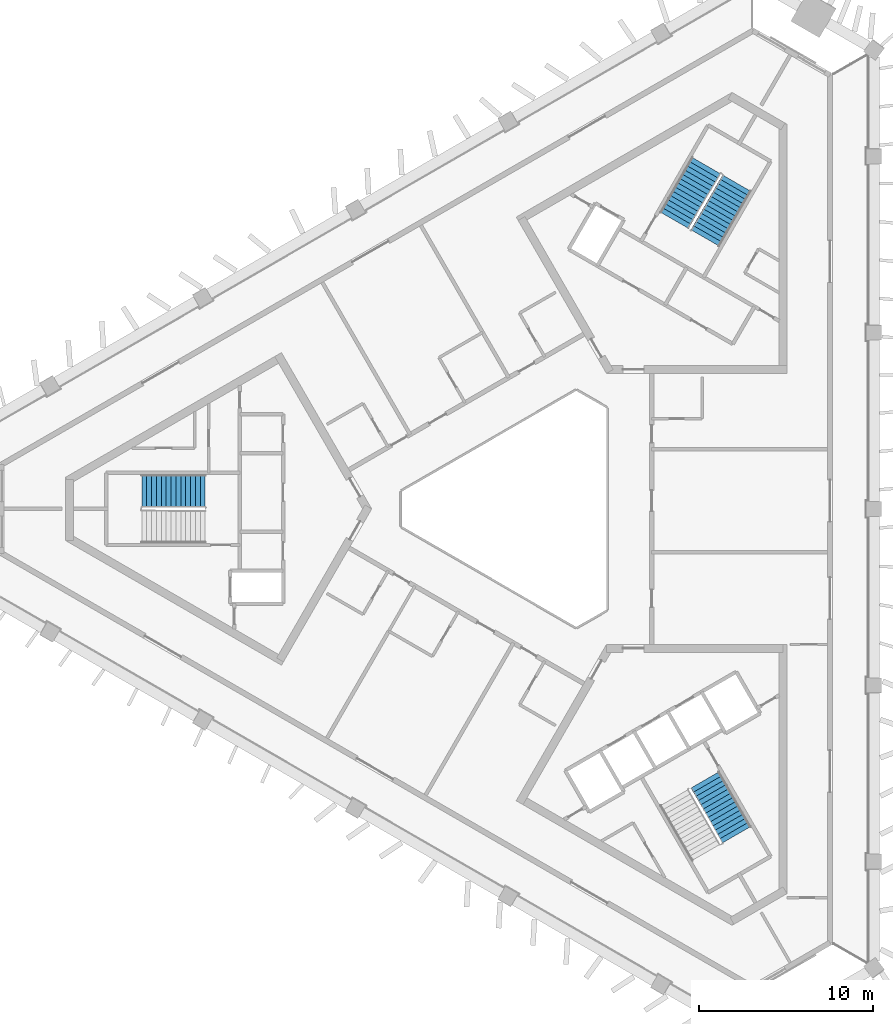
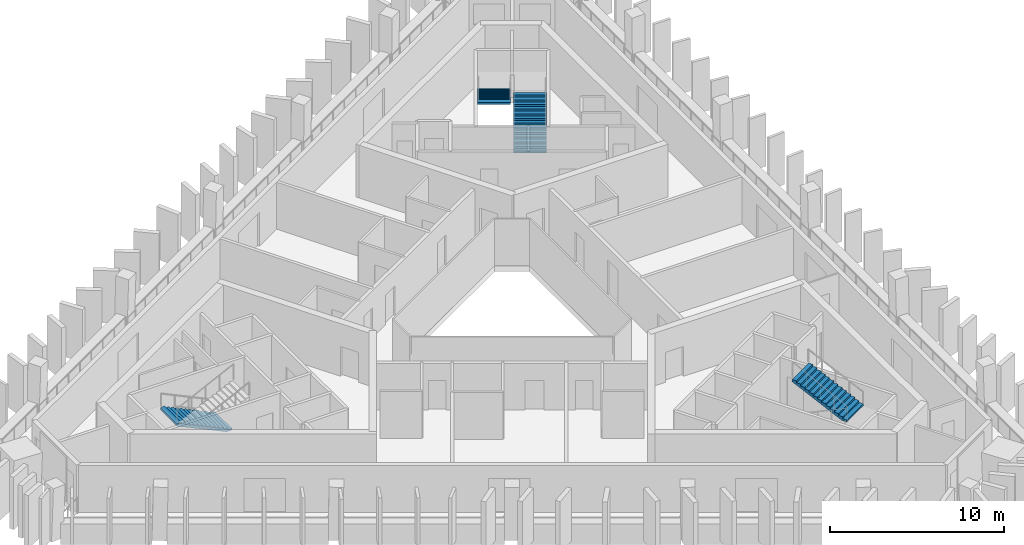
# One storey, part 6 of 9: 4 stair flights, 3 elements without a shape of their own.
"""IFC4 building model written with IfcOpenShell, lengths in metres."""

from ifc_helpers import new_model, si_unit, direction, frame, origin, place, context, subcontext, project, spatial, polyline, outline, extrude, material, type_object, element, aggregate, save


model = new_model("IFC4")

# Units and contexts
model_context = context("Model", 3, precision=1e-05, world=origin(), true_north=direction((0.0, 1.0)))
body_context = subcontext(model_context, "Body", "Model", "MODEL_VIEW")
ifc_project = project(units=[si_unit("LENGTHUNIT", "METRE"), si_unit("AREAUNIT", "SQUARE_METRE"), si_unit("VOLUMEUNIT", "CUBIC_METRE"), si_unit("PLANEANGLEUNIT", "RADIAN"), si_unit("MASSUNIT", "GRAM", prefix="KILO")], contexts=[model_context])

# Site, building, storey
site_placement = place(None, origin())
site = spatial("IfcSite", under=ifc_project, at=site_placement, CompositionType="ELEMENT")
building_placement = place(site_placement, origin())
building = spatial("IfcBuilding", under=site, at=building_placement, Name="Jabali Bay Hotel Tower and Convention Centre", CompositionType="ELEMENT")
storey_placement = place(building_placement, frame((0.0, 0.0, 235.39990234375)))
storey = spatial("IfcBuildingStorey", under=building, at=storey_placement, Name="L58", CompositionType="ELEMENT", Elevation=235.39990234375)

# Stair, stair flight
ifc_material = material(Name="Concrete C40", Category="concrete")
stair_type = type_object("IfcStairType", Name="Exit stair 1900", PredefinedType="HALF_TURN_STAIR", material=ifc_material)
stair_1_placement = place(storey_placement, origin())
stair_1 = element("IfcStair", 1, at=stair_1_placement, inside=storey, type_object=stair_type, Name="L58 Exit Stair 1", PredefinedType="HALF_TURN_STAIR")
stair_flight_type = type_object("IfcStairFlightType", Name="Stair flight concrete 150", PredefinedType="STRAIGHT", material=ifc_material)
stair_flight_1_placement = place(storey_placement, frame((56.419921875, 81.02490234375, 0.0), z_axis=(0.0, 0.0, 1.0), x_axis=(-1.0, 0.0, 0.0)))
stair_flight_1 = element("IfcStairFlight", 2, at=stair_flight_1_placement, type_object=stair_flight_type, Name="ST1 flight 1", NumberOfRisers=14, NumberOfTreads=13, PredefinedType="STRAIGHT", RiserHeight=0.132142857, TreadLength=0.28, context=body_context, shape_type="SweptSolid", body=[
    extrude(outline(polyline([(0.0, 0.0), (0.0, 0.132080078125), (0.280029296875, 0.132080078125), (0.280029296875, 0.264404296875), (0.56005859375, 0.264404296875), (0.56005859375, 0.396484375), (0.840087890625, 0.396484375), (0.840087890625, 0.528564453125), (1.1201171875, 0.528564453125), (1.1201171875, 0.66064453125), (1.39990234375, 0.66064453125), (1.39990234375, 0.79296875), (1.679931640625, 0.79296875), (1.679931640625, 0.925048828125), (1.9599609375, 0.925048828125), (1.9599609375, 1.05712890625), (2.239990234375, 1.05712890625), (2.239990234375, 1.189208984375), (2.52001953125, 1.189208984375), (2.52001953125, 1.321533203125), (2.800048828125, 1.321533203125), (2.800048828125, 1.45361328125), (3.080078125, 1.45361328125), (3.080078125, 1.585693359375), (3.360107421875, 1.585693359375), (3.360107421875, 1.7177734375), (3.639892578125, 1.7177734375), (3.639892578125, 1.85009765625), (3.639892578125, 1.552001953125), (0.351318359375, 0.0), (0.0, 0.0)])), frame((0.0, 0.949951171875, 0.0), z_axis=(0.0, -1.0, 0.0), x_axis=(1.0, 0.0, 0.0)), (0.0, 0.0, 1.0), 1.89990234375),
])
aggregate(stair_1, [stair_flight_1])

# Stair, stair flights
stair_2_placement = place(storey_placement, origin())
stair_2 = element("IfcStair", 3, at=stair_2_placement, inside=storey, type_object=stair_type, Name="L58 Exit Stair 2", PredefinedType="HALF_TURN_STAIR")
stair_flight_2_placement = place(storey_placement, frame((85.177734375, 95.578369140625, 0.0), z_axis=(0.0, 0.0, 1.0), x_axis=(0.5, 0.866025403784, 0.0)))
stair_flight_2 = element("IfcStairFlight", 4, at=stair_flight_2_placement, type_object=stair_flight_type, Name="ST2 flight 1", NumberOfRisers=14, NumberOfTreads=13, PredefinedType="STRAIGHT", RiserHeight=0.132142857, TreadLength=0.28, context=body_context, shape_type="SweptSolid", body=[
    extrude(outline(polyline([(0.0, 0.0), (0.0, 0.132080078125), (0.280029296875, 0.132080078125), (0.280029296875, 0.264404296875), (0.56005859375, 0.264404296875), (0.56005859375, 0.396484375), (0.840087890625, 0.396484375), (0.840087890625, 0.528564453125), (1.1201171875, 0.528564453125), (1.1201171875, 0.66064453125), (1.39990234375, 0.66064453125), (1.39990234375, 0.79296875), (1.679931640625, 0.79296875), (1.679931640625, 0.925048828125), (1.9599609375, 0.925048828125), (1.9599609375, 1.05712890625), (2.239990234375, 1.05712890625), (2.239990234375, 1.189208984375), (2.52001953125, 1.189208984375), (2.52001953125, 1.321533203125), (2.800048828125, 1.321533203125), (2.800048828125, 1.45361328125), (3.080078125, 1.45361328125), (3.080078125, 1.585693359375), (3.360107421875, 1.585693359375), (3.360107421875, 1.7177734375), (3.639892578125, 1.7177734375), (3.639892578125, 1.85009765625), (3.639892578125, 1.552001953125), (0.351318359375, 0.0), (0.0, 0.0)])), frame((0.0, 0.949951171875, 0.0), z_axis=(0.0, -1.0, 0.0), x_axis=(1.0, 0.0, 0.0)), (0.0, 0.0, 1.0), 1.89990234375),
])
stair_flight_3_placement = place(storey_placement, frame((85.222412109375, 99.755615234375, 1.85009765625), z_axis=(0.0, 0.0, 1.0), x_axis=(-0.5, -0.866025403784, 0.0)))
stair_flight_3 = element("IfcStairFlight", 5, at=stair_flight_3_placement, type_object=stair_flight_type, Name="ST2 flight 2", NumberOfRisers=14, NumberOfTreads=13, PredefinedType="STRAIGHT", RiserHeight=0.132142857, TreadLength=0.28, context=body_context, shape_type="SweptSolid", body=[
    extrude(outline(polyline([(0.0, 0.0), (0.0, 0.132080078125), (0.280029296875, 0.132080078125), (0.280029296875, 0.264404296875), (0.56005859375, 0.264404296875), (0.56005859375, 0.396484375), (0.840087890625, 0.396484375), (0.840087890625, 0.528564453125), (1.1201171875, 0.528564453125), (1.1201171875, 0.66064453125), (1.39990234375, 0.66064453125), (1.39990234375, 0.79296875), (1.679931640625, 0.79296875), (1.679931640625, 0.925048828125), (1.9599609375, 0.925048828125), (1.9599609375, 1.05712890625), (2.239990234375, 1.05712890625), (2.239990234375, 1.189208984375), (2.52001953125, 1.189208984375), (2.52001953125, 1.321533203125), (2.800048828125, 1.321533203125), (2.800048828125, 1.45361328125), (3.080078125, 1.45361328125), (3.080078125, 1.585693359375), (3.360107421875, 1.585693359375), (3.360107421875, 1.7177734375), (3.639892578125, 1.7177734375), (3.639892578125, 1.85009765625), (3.639892578125, 1.552001953125), (0.351318359375, 0.0), (0.0, 0.0)])), frame((0.0, 0.949951171875, 0.0), z_axis=(0.0, -1.0, 0.0), x_axis=(1.0, 0.0, 0.0)), (0.0, 0.0, 1.0), 1.89990234375),
])
aggregate(stair_2, [stair_flight_2, stair_flight_3])

# Stair, stair flight
stair_3_placement = place(storey_placement, origin())
stair_3 = element("IfcStair", 6, at=stair_3_placement, inside=storey, type_object=stair_type, Name="L58 Exit Stair 3", PredefinedType="HALF_TURN_STAIR")
stair_flight_4_placement = place(storey_placement, frame((86.99755859375, 61.26953125, 1.85009765625), z_axis=(0.0, 0.0, 1.0), x_axis=(-0.5, 0.866025403784, 0.0)))
stair_flight_4 = element("IfcStairFlight", 7, at=stair_flight_4_placement, type_object=stair_flight_type, Name="ST3 flight 2", NumberOfRisers=14, NumberOfTreads=13, PredefinedType="STRAIGHT", RiserHeight=0.132142857, TreadLength=0.28, context=body_context, shape_type="SweptSolid", body=[
    extrude(outline(polyline([(0.0, 0.0), (0.0, 0.132080078125), (0.280029296875, 0.132080078125), (0.280029296875, 0.264404296875), (0.56005859375, 0.264404296875), (0.56005859375, 0.396484375), (0.840087890625, 0.396484375), (0.840087890625, 0.528564453125), (1.1201171875, 0.528564453125), (1.1201171875, 0.66064453125), (1.39990234375, 0.66064453125), (1.39990234375, 0.79296875), (1.679931640625, 0.79296875), (1.679931640625, 0.925048828125), (1.9599609375, 0.925048828125), (1.9599609375, 1.05712890625), (2.239990234375, 1.05712890625), (2.239990234375, 1.189208984375), (2.52001953125, 1.189208984375), (2.52001953125, 1.321533203125), (2.800048828125, 1.321533203125), (2.800048828125, 1.45361328125), (3.080078125, 1.45361328125), (3.080078125, 1.585693359375), (3.360107421875, 1.585693359375), (3.360107421875, 1.7177734375), (3.639892578125, 1.7177734375), (3.639892578125, 1.85009765625), (3.639892578125, 1.552001953125), (0.351318359375, 0.0), (0.0, 0.0)])), frame((0.0, 0.949951171875, 0.0), z_axis=(0.0, -1.0, 0.0), x_axis=(1.0, 0.0, 0.0)), (0.0, 0.0, 1.0), 1.89990234375),
])
aggregate(stair_3, [stair_flight_4])

save(model, "model.ifc")
